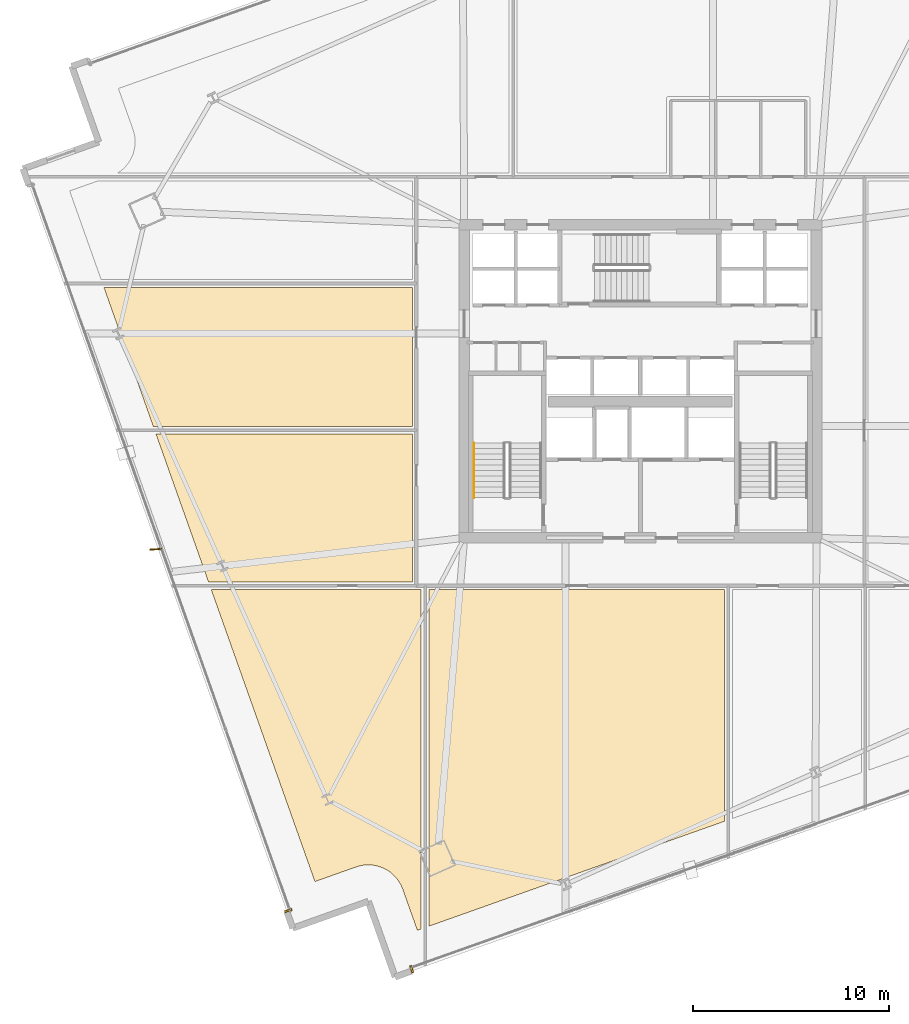
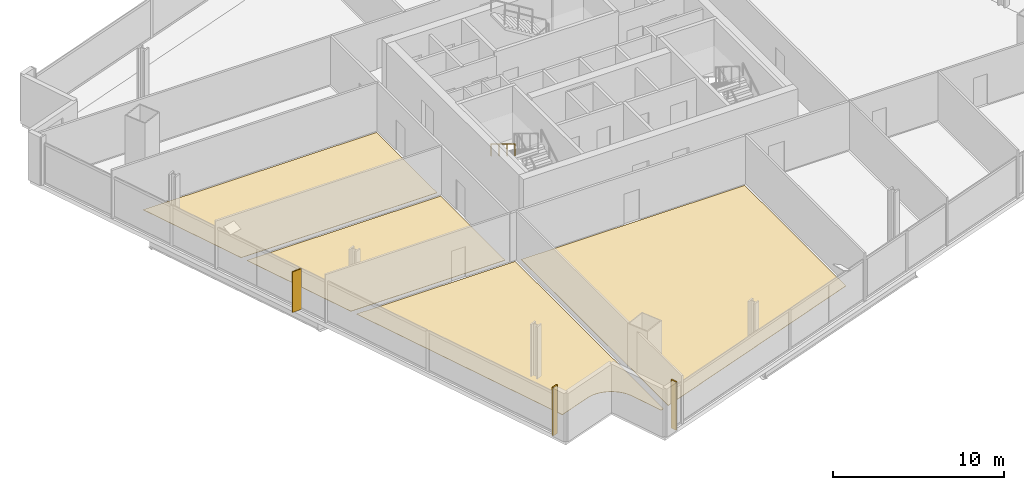
# One storey, part 29 of 33: 6 coverings, 1 railing, 1 shading device.
"""IFC4 building model written with IfcOpenShell, lengths in metres."""

from ifc_helpers import new_model, si_unit, direction, frame, origin, origin_2d, place, context, subcontext, project, spatial, polyline, rectangle, outline, extrude, source, transform, mapped, material, layer, layer_set, type_object, element, save


model = new_model("IFC4")

# Units and contexts
model_context = context("Model", 3, precision=1e-05, world=origin(), true_north=direction((0.0, 1.0)))
body_context = subcontext(model_context, "Body", "Model", "MODEL_VIEW")
ifc_project = project(units=[si_unit("LENGTHUNIT", "METRE"), si_unit("AREAUNIT", "SQUARE_METRE"), si_unit("VOLUMEUNIT", "CUBIC_METRE"), si_unit("PLANEANGLEUNIT", "RADIAN"), si_unit("MASSUNIT", "GRAM", prefix="KILO")], contexts=[model_context])

# Site, building, storey
site_placement = place(None, origin())
site = spatial("IfcSite", under=ifc_project, at=site_placement, CompositionType="ELEMENT")
building_placement = place(site_placement, origin())
building = spatial("IfcBuilding", under=site, at=building_placement, Name="Haldenkirk Collegiate Tower", CompositionType="ELEMENT")
storey_placement = place(building_placement, frame((0.0, 0.0, 94.199951171875)))
storey = spatial("IfcBuildingStorey", under=building, at=storey_placement, Name="L22", CompositionType="ELEMENT", Elevation=94.199951171875)

# Coverings
ifc_material_1 = material(Name="Polished collegiate terrazzo", Category="concrete")
ifc_layer_1 = layer(ifc_material_1, 0.02490234375)
ifc_layer_set_1 = layer_set([ifc_layer_1], Name="Polished collegiate terrazzo")
covering_type_1 = type_object("IfcCoveringType", Name="COV-FLOOR-TERRAZZO", PredefinedType="FLOORING", material=ifc_layer_set_1)
covering_1_placement = place(storey_placement, origin())
element("IfcCovering", 1, at=covering_1_placement, inside=storey, type_object=covering_type_1, Name="L22 academic room finish 02", PredefinedType="FLOORING", context=body_context, shape_type="SweptSolid", body=[
    extrude(outline(polyline([(25.199951171875, -1.849609375), (25.199951171875, 15.35009765625), (40.300048828125, 15.35009765625), (40.300048828125, 3.512451171875), (25.199951171875, -1.849609375)])), origin(), (0.0, 0.0, 1.0), 0.025146484375),
])
covering_2_placement = place(storey_placement, origin())
element("IfcCovering", 2, at=covering_2_placement, inside=storey, type_object=covering_type_1, Name="L22 academic room finish 08", PredefinedType="FLOORING", context=body_context, shape_type="SweptSolid", body=[
    extrude(outline(polyline([(11.24658203125, 23.300048828125), (24.35009765625, 23.300048828125), (24.35009765625, 15.75), (13.927490234375, 15.75), (11.24658203125, 23.300048828125)])), origin(), (0.0, 0.0, 1.0), 0.025146484375),
])
ifc_material_2 = material(Name="Engineered collegiate oak acoustic flooring", Category="wood")
ifc_layer_2 = layer(ifc_material_2, 0.02197265625)
ifc_layer_set_2 = layer_set([ifc_layer_2], Name="Engineered collegiate oak acoustic flooring")
covering_type_2 = type_object("IfcCoveringType", Name="COV-FLOOR-TIMBER", PredefinedType="FLOORING", material=ifc_layer_set_2)
covering_3_placement = place(storey_placement, origin())
element("IfcCovering", 3, at=covering_3_placement, inside=storey, type_object=covering_type_2, Name="L22 academic room finish 01", PredefinedType="FLOORING", context=body_context, shape_type="SweptSolid", body=[
    extrude(outline(polyline([(23.487060546875, 0.662109375), (23.479248046875, 0.6708984375), (23.35791015625, 0.792724609375), (23.349365234375, 0.800537109375), (23.216796875, 0.909912109375), (23.20751953125, 0.9169921875), (23.06494140625, 1.0126953125), (23.0546875, 1.018798828125), (22.903564453125, 1.10009765625), (22.892822265625, 1.105224609375), (22.734375, 1.17138671875), (22.723388671875, 1.17529296875), (22.55908203125, 1.2255859375), (22.547607421875, 1.228271484375), (22.37939453125, 1.26220703125), (22.36767578125, 1.263916015625), (22.197021484375, 1.28125), (22.18505859375, 1.281982421875), (22.01318359375, 1.2822265625), (22.00146484375, 1.28173828125), (21.83056640625, 1.265380859375), (21.819091796875, 1.263671875), (21.650390625, 1.230712890625), (21.638916015625, 1.227783203125), (21.474609375, 1.17822265625), (21.468994140625, 1.176513671875), (19.367431640625, 0.43017578125), (14.069580078125, 15.35009765625), (24.800048828125, 15.35009765625), (24.800048828125, -1.99169921875), (24.60302734375, -2.0615234375), (23.85693359375, 0.0400390625), (23.854736328125, 0.04541015625), (23.78955078125, 0.2041015625), (23.784423828125, 0.21484375), (23.703857421875, 0.36669921875), (23.69775390625, 0.376708984375), (23.602783203125, 0.519775390625), (23.595703125, 0.529296875), (23.487060546875, 0.662109375)])), origin(), (0.0, 0.0, 1.0), 0.02197265625),
])
covering_4_placement = place(storey_placement, origin())
element("IfcCovering", 4, at=covering_4_placement, inside=storey, type_object=covering_type_2, Name="L22 academic room finish 09", PredefinedType="FLOORING", context=body_context, shape_type="SweptSolid", body=[
    extrude(outline(polyline([(8.583251953125, 30.800048828125), (24.35009765625, 30.800048828125), (24.35009765625, 23.699951171875), (11.1044921875, 23.699951171875), (8.583251953125, 30.800048828125)])), origin(), (0.0, 0.0, 1.0), 0.02197265625),
])

# Railing
ifc_material_3 = material(Name="Painted architectural tubular steel", Category="steel")
railing_type = type_object("IfcRailingType", Name="RLG-STAIR-HANDRAIL-900", PredefinedType="HANDRAIL", material=ifc_material_3)
railing_placement = place(storey_placement, frame((27.5, 22.85009765625, 2.04541015625)))
element("IfcRailing", 5, at=railing_placement, inside=storey, type_object=railing_type, Name="L22 ST-1 stair handrail 2", PredefinedType="HANDRAIL", context=body_context, shape_type="SweptSolid", body=[
    extrude(rectangle(XDim=0.048095703125, YDim=0.048095703125, at=origin_2d()), frame((0.0, 0.0, 0.8759765625), z_axis=(0.0, -0.854169791009, 0.51999420009), x_axis=(1.0, 0.0, 0.0)), (0.0, 0.0, 1.0), 3.278076171875),
    extrude(rectangle(XDim=0.0419921875, YDim=0.0419921875, at=origin_2d()), origin(), (0.0, 0.0, 1.0), 0.851806640625),
    extrude(rectangle(XDim=0.0419921875, YDim=0.0419921875, at=origin_2d()), frame((0.0, -0.933349609375, 0.568115234375)), (0.0, 0.0, 1.0), 0.851806640625),
    extrude(rectangle(XDim=0.0419921875, YDim=0.0419921875, at=origin_2d()), frame((0.0, -1.86669921875, 1.136474609375)), (0.0, 0.0, 1.0), 0.851806640625),
    extrude(rectangle(XDim=0.0419921875, YDim=0.0419921875, at=origin_2d()), frame((0.0, -2.800048828125, 1.70458984375)), (0.0, 0.0, 1.0), 0.851806640625),
])

# Coverings
ifc_material_4 = material(Name="Anodised architectural bronze aluminium", Category="aluminium")
ifc_layer_3 = layer(ifc_material_4, 0.06005859375)
ifc_layer_set_3 = layer_set([ifc_layer_3], Name="Anodised architectural bronze aluminium")
covering_type_3 = type_object("IfcCoveringType", Name="COV-CLAD-BRONZE-60", PredefinedType="CLADDING", material=ifc_layer_set_3)
shared_shape_1 = source(origin(), body_context, "Body", "SweptSolid", [
    extrude(rectangle(XDim=0.10009765625, YDim=0.3798828125, at=origin_2d()), origin(), (0.0, 0.0, 1.0), 3.449951171875),
])
for number, where, z_axis, x_axis, name in (
    (6, (24.31298828125, -4.05322265625, 0.0), (0.0, 0.0, 1.0), (-0.94234983076, -0.334629341909, 0.0), "L22 recessed curtain-wall bronze jamb closure SJR"),
    (7, (18.004638671875, -1.05126953125, 0.0), (0.0, 0.0, 1.0), (-0.334629341909, 0.94234983076, 0.0), "L22 recessed curtain-wall bronze jamb closure WJL"),
):
    element("IfcCovering", number, at=place(storey_placement, frame(where, z_axis=z_axis, x_axis=x_axis)), inside=storey, type_object=covering_type_3, Name=name, PredefinedType="CLADDING", context=body_context, shape_type="MappedRepresentation", body=[
        mapped(shared_shape_1, transform((0.0, 0.0, 0.0), x_axis=(1.0, 0.0, 0.0), y_axis=(0.0, 1.0, 0.0), z_axis=(0.0, 0.0, 1.0), scale=1.0)),
    ])

# Shading device
ifc_layer_4 = layer(ifc_material_4, 0.06494140625)
ifc_layer_set_4 = layer_set([ifc_layer_4], Name="Anodised architectural bronze aluminium")
shading_device_type = type_object("IfcShadingDeviceType", Name="SHD-FIN-BRONZE-620", PredefinedType="USERDEFINED", material=ifc_layer_set_4)
shared_shape_2 = source(origin(), body_context, "Body", "SweptSolid", [
    extrude(rectangle(XDim=0.6201171875, YDim=0.06494140625, at=origin_2d()), origin(), (0.0, 0.0, 1.0), 2.90087890625),
])
shading_device_placement = place(storey_placement, frame((11.2294921875, 17.416015625, 0.0), z_axis=(0.0, 0.0, 1.0), x_axis=(-0.998081143466, -0.061919553109, 0.0)))
element("IfcShadingDevice", 8, at=shading_device_placement, inside=storey, type_object=shading_device_type, Name="L22 folded bronze solar fin 1", ObjectType="FIN", PredefinedType="USERDEFINED", context=body_context, shape_type="MappedRepresentation", body=[
    mapped(shared_shape_2, transform((0.0, 0.0, 0.0), x_axis=(1.0, 0.0, 0.0), y_axis=(0.0, 1.0, 0.0), z_axis=(0.0, 0.0, 1.0), scale=1.0)),
])

save(model, "model.ifc")
